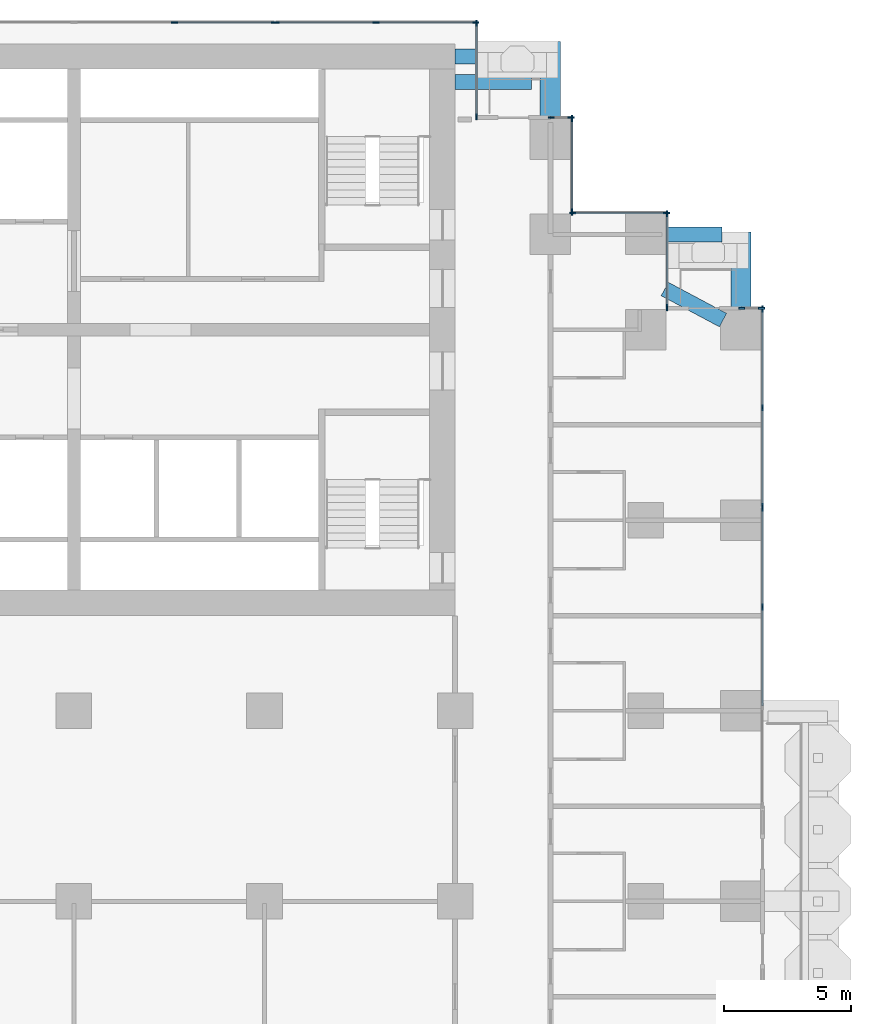
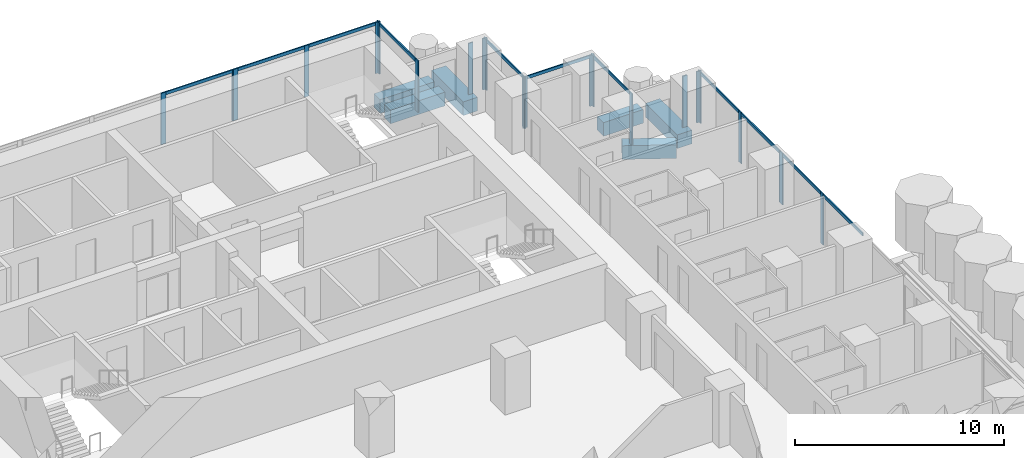
# One storey, part 5 of 18: 33 members, 6 beams, 10 elements without a shape of their own.
"""IFC4 building model written with IfcOpenShell, lengths in metres."""

import ifcopenshell
import ifcopenshell.guid

model = None  # the IFC model being written
_history = None  # IfcOwnerHistory: only IFC2X3 demands one
_inside = {}  # id of a spatial element -> (the spatial element, [elements in it])
_under = {}  # id of a project, library or spatial element -> (it, [spatial elements below it])
_declared = {}  # id of a project -> (the project, [libraries it declares])
_typed = {}  # id of a type object -> (the type object, [elements of that type])
_made_of = {}  # id of a material, layer set ... -> (it, [elements and type objects made of it])


def new_model(schema):
    """Start an empty IFC model of exactly this schema.

    Asked for "IFC4X3", IfcOpenShell would pick the latest addendum, in which some entities
    have other attributes; the version numbers below select the first issue.
    IFC2X3 requires an IfcOwnerHistory on every rooted entity: one is made here for all.
    """
    global model, _history
    if schema == "IFC4X3":
        model = ifcopenshell.file(schema_version=(4, 3, 0, 0))
    else:
        model = ifcopenshell.file(schema=schema)
    _inside.clear()
    _under.clear()
    _declared.clear()
    _typed.clear()
    _made_of.clear()
    _history = None
    if model.schema == "IFC2X3":
        org = make("IfcOrganization", Name="unknown")
        user = make(
            "IfcPersonAndOrganization",
            ThePerson=make("IfcPerson", FamilyName="unknown"),
            TheOrganization=org,
        )
        app = make(
            "IfcApplication",
            ApplicationDeveloper=org,
            Version="unknown",
            ApplicationFullName="unknown",
            ApplicationIdentifier="unknown",
        )
        _history = make(
            "IfcOwnerHistory",
            OwningUser=user,
            OwningApplication=app,
            ChangeAction="ADDED",
            CreationDate=0,
        )
    return model


def make(cls, **values):
    """One entity of the class cls with the attributes given. An attribute that is None is left unset."""
    return model.create_entity(
        cls, **{name: value for name, value in values.items() if value is not None}
    )


def rooted(cls, **values):
    """An entity with a GlobalId (a new one), such as an element, a storey or a relation."""
    return make(cls, GlobalId=ifcopenshell.guid.new(), OwnerHistory=_history, **values)


def si_unit(unit_type, name, prefix=None):
    """IfcSIUnit, for example si_unit("LENGTHUNIT", "METRE", prefix="MILLI")."""
    return make("IfcSIUnit", UnitType=unit_type, Prefix=prefix, Name=name)


def assignment(units):
    """IfcUnitAssignment: the units of a project."""
    return None if units is None else make("IfcUnitAssignment", Units=units)


def point(xyz):
    """IfcCartesianPoint."""
    return None if xyz is None else make("IfcCartesianPoint", Coordinates=xyz)


def direction(xyz):
    """IfcDirection."""
    return None if xyz is None else make("IfcDirection", DirectionRatios=xyz)


def frame(location, z_axis=None, x_axis=None):
    """IfcAxis2Placement3D, a coordinate frame: its origin and axes. An axis left out is left unset."""
    return make(
        "IfcAxis2Placement3D",
        Location=point(location),
        Axis=direction(z_axis),
        RefDirection=direction(x_axis),
    )


def frame_2d(location, x_axis=None):
    """IfcAxis2Placement2D, a coordinate frame in the plane: its origin and x axis."""
    return make(
        "IfcAxis2Placement2D", Location=point(location), RefDirection=direction(x_axis)
    )


def origin():
    """The frame at (0, 0, 0) with its axes left unset."""
    return frame((0.0, 0.0, 0.0))


def origin_2d():
    """The frame at (0, 0) in the plane with its x axis left unset."""
    return frame_2d((0.0, 0.0))


def place(relative_to, where):
    """IfcLocalPlacement: puts the frame where relative to a parent placement (None: the world)."""
    return make(
        "IfcLocalPlacement", PlacementRelTo=relative_to, RelativePlacement=where
    )


def context(
    kind, dimensions, precision=None, world=None, true_north=None, identifier=None
):
    """IfcGeometricRepresentationContext, for example the 3D "Model" context."""
    return make(
        "IfcGeometricRepresentationContext",
        ContextIdentifier=identifier,
        ContextType=kind,
        CoordinateSpaceDimension=dimensions,
        Precision=precision,
        WorldCoordinateSystem=world,
        TrueNorth=true_north,
    )


def subcontext(parent, identifier, kind, view, scale=None):
    """IfcGeometricRepresentationSubContext, for example "Body" below "Model"."""
    return make(
        "IfcGeometricRepresentationSubContext",
        ContextIdentifier=identifier,
        ContextType=kind,
        ParentContext=parent,
        TargetScale=scale,
        TargetView=view,
    )


def project(units=None, contexts=None):
    """IfcProject with its units and contexts."""
    return rooted(
        "IfcProject",
        Name="project",
        RepresentationContexts=contexts,
        UnitsInContext=assignment(units),
    )


def spatial(cls, under=None, at=None, **own):
    """A site, building, storey or space (cls), placed at a placement, below another one or the project."""
    s = rooted(cls, ObjectPlacement=at, **own)
    if under is not None:
        _under.setdefault(under.id(), (under, []))[1].append(s)
    return s


def profile(cls, at=None, kind="AREA", **sizes):
    """A parametric profile (cls). Its sizes go by their IFC names, for example OverallWidth=200.0."""
    return make(cls, ProfileType=kind, Position=at, **sizes)


def rectangle(**sizes):
    """IfcRectangleProfileDef."""
    return profile("IfcRectangleProfileDef", **sizes)


def extrude(swept, where, along, depth):
    """IfcExtrudedAreaSolid: the profile swept, set in the frame where, extruded along a direction by depth."""
    return make(
        "IfcExtrudedAreaSolid",
        SweptArea=swept,
        Position=where,
        ExtrudedDirection=direction(along),
        Depth=depth,
    )


def shape(context_of_items, identifier, shape_type, items):
    """IfcShapeRepresentation: the items that make up one representation, for example the "Body"."""
    return make(
        "IfcShapeRepresentation",
        ContextOfItems=context_of_items,
        RepresentationIdentifier=identifier,
        RepresentationType=shape_type,
        Items=items,
    )


def material(Name=None, Category=None):
    """IfcMaterial."""
    return make("IfcMaterial", Name=Name, Category=Category)


def material_profile(
    of_material, cross_section, Name=None, Category=None, Priority=None
):
    """IfcMaterialProfile: a cross section and its material."""
    return make(
        "IfcMaterialProfile",
        Name=Name,
        Material=of_material,
        Profile=cross_section,
        Priority=Priority,
        Category=Category,
    )


def profile_set(profiles, Name=None, composite=None):
    """IfcMaterialProfileSet."""
    return make(
        "IfcMaterialProfileSet",
        Name=Name,
        MaterialProfiles=profiles,
        CompositeProfile=composite,
    )


def made_of(thing, what):
    """Note that an element or type object is made of a material, layer set ...; save() writes the relation."""
    if what is not None:
        _made_of.setdefault(what.id(), (what, []))[1].append(thing)
    return thing


def type_object(cls, material=None, **own):
    """A type object (cls), such as IfcWallType, which elements share."""
    return made_of(rooted(cls, **own), material)


def element(
    cls,
    number,
    at=None,
    inside=None,
    cuts=None,
    type_object=None,
    material=None,
    context=None,
    identifier="Body",
    shape_type=None,
    held_by="IfcProductDefinitionShape",
    body=None,
    shapes=None,
    **own,
):
    """One element of the class cls, such as IfcWall. Its Tag is "e" and its number.

    at: its placement. inside: the storey or other place that contains it. cuts: it is an
    opening in that element (IfcRelVoidsElement). A single representation is given by context,
    identifier, shape_type and body (its items); several are given by shapes. held_by: the class
    of the entity that holds the representations. save() writes the other relations.
    """
    e = rooted(cls, Tag="e%d" % number, ObjectPlacement=at, **own)
    if body is not None:
        shapes = [shape(context, identifier, shape_type, body)]
    if shapes is not None:
        e.Representation = make(held_by, Representations=shapes)
    if inside is not None:
        _inside.setdefault(inside.id(), (inside, []))[1].append(e)
    if cuts is not None:
        rooted(
            "IfcRelVoidsElement", RelatingBuildingElement=cuts, RelatedOpeningElement=e
        )
    if type_object is not None:
        _typed.setdefault(type_object.id(), (type_object, []))[1].append(e)
    return made_of(e, material)


def aggregate(whole, parts):
    """IfcRelAggregates: a whole, such as a stair, and the parts it consists of."""
    return rooted("IfcRelAggregates", RelatingObject=whole, RelatedObjects=parts)


def save(model, path):
    """Write the relations noted so far, then the file.

    IfcRelAggregates (storeys below a building ...), IfcRelContainedInSpatialStructure (elements
    in a storey), IfcRelDefinesByType, IfcRelAssociatesMaterial and IfcRelDeclares: one each for
    every whole, place, type object, material and project.
    """
    for whole, parts in _under.values():
        aggregate(whole, parts)
    for where, things in _inside.values():
        rooted(
            "IfcRelContainedInSpatialStructure",
            RelatedElements=things,
            RelatingStructure=where,
        )
    for kind, things in _typed.values():
        rooted("IfcRelDefinesByType", RelatedObjects=things, RelatingType=kind)
    for what, things in _made_of.values():
        rooted("IfcRelAssociatesMaterial", RelatedObjects=things, RelatingMaterial=what)
    for by, libraries in _declared.values():
        rooted("IfcRelDeclares", RelatingContext=by, RelatedDefinitions=libraries)
    model.write(path)


model = new_model("IFC4")

# Units and contexts
model_context = context("Model", 3, precision=1e-05, world=origin(), true_north=direction((0.0, 1.0)))
body_context = subcontext(model_context, "Body", "Model", "MODEL_VIEW")
ifc_project = project(units=[si_unit("LENGTHUNIT", "METRE"), si_unit("AREAUNIT", "SQUARE_METRE"), si_unit("VOLUMEUNIT", "CUBIC_METRE"), si_unit("PLANEANGLEUNIT", "RADIAN"), si_unit("MASSUNIT", "GRAM", prefix="KILO")], contexts=[model_context])

# Site, building, storey
site_placement = place(None, origin())
site = spatial("IfcSite", under=ifc_project, at=site_placement, CompositionType="ELEMENT")
building_placement = place(site_placement, origin())
building = spatial("IfcBuilding", under=site, at=building_placement, Name="Pilkhan Gate Tower", CompositionType="ELEMENT")
storey_placement = place(building_placement, frame((0.0, 0.0, 42.800048828125)))
storey = spatial("IfcBuildingStorey", under=building, at=storey_placement, Name="L07", CompositionType="ELEMENT", Elevation=42.800048828125)

# Beams
ifc_material_1 = material(Name="Concrete C50/60", Category="concrete")
ifc_material_profile_1 = material_profile(ifc_material_1, rectangle(XDim=0.60009765625, YDim=0.800048828125, at=origin_2d()), Name="RC 600x800")
ifc_profile_set_1 = profile_set([ifc_material_profile_1], Name="Concrete C50/60")
beam_type_1 = type_object("IfcBeamType", Name="Cantilever beam CB1 RC 600x800 C50/60", PredefinedType="BEAM", material=ifc_profile_set_1)
for number, where, z_axis, x_axis, name in (
    (1, (90.0, 93.25, -0.699951171875), (1.0, 0.0, 0.0), (0.0, 1.0, 0.0), "Balcony beam NE.2 L07"),
    (2, (90.0, 92.25, -0.699951171875), (1.0, 0.0, 0.0), (0.0, 1.0, 0.0), "Balcony beam NE.3 L07"),
):
    element("IfcBeam", number, at=place(storey_placement, frame(where, z_axis=z_axis, x_axis=x_axis)), inside=storey, type_object=beam_type_1, Name=name, PredefinedType="BEAM", context=body_context, shape_type="SweptSolid", body=[
        extrude(rectangle(XDim=0.60009765625, YDim=0.800048828125, at=origin_2d()), origin(), (0.0, 0.0, 1.0), 3.0),
    ])
beam_1_placement = place(storey_placement, frame((98.300048828125, 86.25, -0.699951171875), z_axis=(1.0, 0.0, 0.0), x_axis=(0.0, 1.0, 0.0)))
element("IfcBeam", 3, at=beam_1_placement, inside=storey, type_object=beam_type_1, Name="Balcony beam NE2.2 L07", PredefinedType="BEAM", context=body_context, shape_type="SweptSolid", body=[
    extrude(rectangle(XDim=0.60009765625, YDim=0.800048828125, at=origin_2d()), origin(), (0.0, 0.0, 1.0), 2.199951171875),
])
beam_2_placement = place(storey_placement, frame((100.544189453125, 82.87646484375, -0.699951171875), z_axis=(-0.882342544151, 0.470607729199, 0.0), x_axis=(-0.470607729199, -0.882342544151, 0.0)))
element("IfcBeam", 4, at=beam_2_placement, inside=storey, type_object=beam_type_1, Name="Balcony beam NE2.3 L07", PredefinedType="BEAM", context=body_context, shape_type="SweptSolid", body=[
    extrude(rectangle(XDim=0.60009765625, YDim=0.800048828125, at=origin_2d()), origin(), (0.0, 0.0, 1.0), 2.60009765625),
])
ifc_material_profile_2 = material_profile(ifc_material_1, rectangle(XDim=0.800048828125, YDim=0.800048828125, at=origin_2d()), Name="RC 800x800")
ifc_profile_set_2 = profile_set([ifc_material_profile_2], Name="Concrete C50/60")
beam_type_2 = type_object("IfcBeamType", Name="Cantilever beam CB2 RC 800x800 C50/60", PredefinedType="BEAM", material=ifc_profile_set_2)
for number, where, z_axis, x_axis, name in (
    (5, (93.75, 90.800048828125, -0.699951171875), (0.0, 1.0, 0.0), (-1.0, 0.0, 0.0), "Balcony beam NE.1 L07"),
    (6, (101.25, 83.300048828125, -0.699951171875), (0.0, 1.0, 0.0), (-1.0, 0.0, 0.0), "Balcony beam NE2.1 L07"),
):
    element("IfcBeam", number, at=place(storey_placement, frame(where, z_axis=z_axis, x_axis=x_axis)), inside=storey, type_object=beam_type_2, Name=name, PredefinedType="BEAM", context=body_context, shape_type="SweptSolid", body=[
        extrude(rectangle(XDim=0.800048828125, YDim=0.800048828125, at=origin_2d()), origin(), (0.0, 0.0, 1.0), 3.050048828125),
    ])

# Curtain wall, members
ifc_material_2 = material(Name="Pale anodised aluminium, clear low-iron double glazing", Category="aluminium")
curtain_wall_type = type_object("IfcCurtainWallType", Name="Hotel unitised curtain wall CW-H", PredefinedType="USERDEFINED", material=ifc_material_2)
curtain_wall_1_placement = place(storey_placement, origin())
curtain_wall_1 = element("IfcCurtainWall", 7, at=curtain_wall_1_placement, inside=storey, type_object=curtain_wall_type, Name="Hotel unitised curtain wall CW-H L07 E", ObjectType="UNITISED CURTAIN WALL", PredefinedType="USERDEFINED")
ifc_material_3 = material(Name="Pale anodised aluminium", Category="aluminium")
ifc_material_profile_3 = material_profile(ifc_material_3, rectangle(XDim=0.06494140625, YDim=0.25, at=origin_2d()), Name="Mullion 250x65")
ifc_profile_set_3 = profile_set([ifc_material_profile_3], Name="Pale anodised aluminium")
member_type_1 = type_object("IfcMemberType", Name="Mullion CW-H 250x65", PredefinedType="MULLION", material=ifc_profile_set_3)
member_1_placement = place(storey_placement, frame((102.094970703125, 71.587890625, 0.0), z_axis=(0.0, 0.0, 1.0), x_axis=(-1.0, 0.0, 0.0)))
member_1 = element("IfcMember", 8, at=member_1_placement, type_object=member_type_1, Name="CW-H mullion 3", PredefinedType="MULLION", context=body_context, shape_type="SweptSolid", body=[
    extrude(rectangle(XDim=0.06494140625, YDim=0.25, at=origin_2d()), origin(), (0.0, 0.0, 1.0), 3.0),
])
member_2_placement = place(storey_placement, frame((102.094970703125, 75.474609375, 0.0), z_axis=(0.0, 0.0, 1.0), x_axis=(-1.0, 0.0, 0.0)))
member_2 = element("IfcMember", 9, at=member_2_placement, type_object=member_type_1, Name="CW-H mullion 4", PredefinedType="MULLION", context=body_context, shape_type="SweptSolid", body=[
    extrude(rectangle(XDim=0.06494140625, YDim=0.25, at=origin_2d()), origin(), (0.0, 0.0, 1.0), 3.0),
])

curtain_wall_2_placement = place(storey_placement, origin())
curtain_wall_2 = element("IfcCurtainWall", 10, at=curtain_wall_2_placement, inside=storey, type_object=curtain_wall_type, Name="Hotel unitised curtain wall CW-H L07 E", ObjectType="UNITISED CURTAIN WALL", PredefinedType="USERDEFINED")
member_3_placement = place(storey_placement, frame((102.094970703125, 75.53955078125, 0.0), z_axis=(0.0, 0.0, 1.0), x_axis=(-1.0, 0.0, 0.0)))
member_3 = element("IfcMember", 11, at=member_3_placement, type_object=member_type_1, Name="CW-H mullion 1", PredefinedType="MULLION", context=body_context, shape_type="SweptSolid", body=[
    extrude(rectangle(XDim=0.06494140625, YDim=0.25, at=origin_2d()), origin(), (0.0, 0.0, 1.0), 3.0),
])
member_4_placement = place(storey_placement, frame((102.094970703125, 79.426025390625, 0.0), z_axis=(0.0, 0.0, 1.0), x_axis=(-1.0, 0.0, 0.0)))
member_4 = element("IfcMember", 12, at=member_4_placement, type_object=member_type_1, Name="CW-H mullion 2", PredefinedType="MULLION", context=body_context, shape_type="SweptSolid", body=[
    extrude(rectangle(XDim=0.06494140625, YDim=0.25, at=origin_2d()), origin(), (0.0, 0.0, 1.0), 3.0),
])
member_5_placement = place(storey_placement, frame((102.094970703125, 83.3125, 0.0), z_axis=(0.0, 0.0, 1.0), x_axis=(-1.0, 0.0, 0.0)))
member_5 = element("IfcMember", 13, at=member_5_placement, type_object=member_type_1, Name="CW-H mullion 3", PredefinedType="MULLION", context=body_context, shape_type="SweptSolid", body=[
    extrude(rectangle(XDim=0.06494140625, YDim=0.25, at=origin_2d()), origin(), (0.0, 0.0, 1.0), 3.0),
])

curtain_wall_3_placement = place(storey_placement, origin())
curtain_wall_3 = element("IfcCurtainWall", 14, at=curtain_wall_3_placement, inside=storey, type_object=curtain_wall_type, Name="Hotel unitised curtain wall CW-H L07 N", ObjectType="UNITISED CURTAIN WALL", PredefinedType="USERDEFINED")
member_6_placement = place(storey_placement, frame((101.282470703125, 83.344970703125, 0.0), z_axis=(0.0, 0.0, 1.0), x_axis=(0.0, 1.0, 0.0)))
member_6 = element("IfcMember", 15, at=member_6_placement, type_object=member_type_1, Name="CW-H mullion 1", PredefinedType="MULLION", context=body_context, shape_type="SweptSolid", body=[
    extrude(rectangle(XDim=0.06494140625, YDim=0.25, at=origin_2d()), origin(), (0.0, 0.0, 1.0), 3.0),
])
member_7_placement = place(storey_placement, frame((102.0625, 83.344970703125, 0.0), z_axis=(0.0, 0.0, 1.0), x_axis=(0.0, 1.0, 0.0)))
member_7 = element("IfcMember", 16, at=member_7_placement, type_object=member_type_1, Name="CW-H mullion 2", PredefinedType="MULLION", context=body_context, shape_type="SweptSolid", body=[
    extrude(rectangle(XDim=0.06494140625, YDim=0.25, at=origin_2d()), origin(), (0.0, 0.0, 1.0), 3.0),
])
aggregate(curtain_wall_3, [member_6, member_7])

curtain_wall_4_placement = place(storey_placement, origin())
curtain_wall_4 = element("IfcCurtainWall", 17, at=curtain_wall_4_placement, inside=storey, type_object=curtain_wall_type, Name="Hotel unitised curtain wall CW-H L07 E", ObjectType="UNITISED CURTAIN WALL", PredefinedType="USERDEFINED")
member_8_placement = place(storey_placement, frame((98.344970703125, 83.37744140625, 0.0), z_axis=(0.0, 0.0, 1.0), x_axis=(-1.0, 0.0, 0.0)))
member_8 = element("IfcMember", 18, at=member_8_placement, type_object=member_type_1, Name="CW-H mullion 1", PredefinedType="MULLION", context=body_context, shape_type="SweptSolid", body=[
    extrude(rectangle(XDim=0.06494140625, YDim=0.25, at=origin_2d()), origin(), (0.0, 0.0, 1.0), 3.0),
])
member_9_placement = place(storey_placement, frame((98.344970703125, 87.0625, 0.0), z_axis=(0.0, 0.0, 1.0), x_axis=(-1.0, 0.0, 0.0)))
member_9 = element("IfcMember", 19, at=member_9_placement, type_object=member_type_1, Name="CW-H mullion 2", PredefinedType="MULLION", context=body_context, shape_type="SweptSolid", body=[
    extrude(rectangle(XDim=0.06494140625, YDim=0.25, at=origin_2d()), origin(), (0.0, 0.0, 1.0), 3.0),
])

curtain_wall_5_placement = place(storey_placement, origin())
curtain_wall_5 = element("IfcCurtainWall", 20, at=curtain_wall_5_placement, inside=storey, type_object=curtain_wall_type, Name="Hotel unitised curtain wall CW-H L07 N", ObjectType="UNITISED CURTAIN WALL", PredefinedType="USERDEFINED")
member_10_placement = place(storey_placement, frame((94.62744140625, 87.094970703125, 0.0), z_axis=(0.0, 0.0, 1.0), x_axis=(0.0, 1.0, 0.0)))
member_10 = element("IfcMember", 21, at=member_10_placement, type_object=member_type_1, Name="CW-H mullion 1", PredefinedType="MULLION", context=body_context, shape_type="SweptSolid", body=[
    extrude(rectangle(XDim=0.06494140625, YDim=0.25, at=origin_2d()), origin(), (0.0, 0.0, 1.0), 3.0),
])
member_11_placement = place(storey_placement, frame((98.3125, 87.094970703125, 0.0), z_axis=(0.0, 0.0, 1.0), x_axis=(0.0, 1.0, 0.0)))
member_11 = element("IfcMember", 22, at=member_11_placement, type_object=member_type_1, Name="CW-H mullion 2", PredefinedType="MULLION", context=body_context, shape_type="SweptSolid", body=[
    extrude(rectangle(XDim=0.06494140625, YDim=0.25, at=origin_2d()), origin(), (0.0, 0.0, 1.0), 3.0),
])

curtain_wall_6_placement = place(storey_placement, origin())
curtain_wall_6 = element("IfcCurtainWall", 23, at=curtain_wall_6_placement, inside=storey, type_object=curtain_wall_type, Name="Hotel unitised curtain wall CW-H L07 E", ObjectType="UNITISED CURTAIN WALL", PredefinedType="USERDEFINED")
member_12_placement = place(storey_placement, frame((94.594970703125, 87.12744140625, 0.0), z_axis=(0.0, 0.0, 1.0), x_axis=(-1.0, 0.0, 0.0)))
member_12 = element("IfcMember", 24, at=member_12_placement, type_object=member_type_1, Name="CW-H mullion 1", PredefinedType="MULLION", context=body_context, shape_type="SweptSolid", body=[
    extrude(rectangle(XDim=0.06494140625, YDim=0.25, at=origin_2d()), origin(), (0.0, 0.0, 1.0), 3.0),
])
member_13_placement = place(storey_placement, frame((94.594970703125, 90.8125, 0.0), z_axis=(0.0, 0.0, 1.0), x_axis=(-1.0, 0.0, 0.0)))
member_13 = element("IfcMember", 25, at=member_13_placement, type_object=member_type_1, Name="CW-H mullion 2", PredefinedType="MULLION", context=body_context, shape_type="SweptSolid", body=[
    extrude(rectangle(XDim=0.06494140625, YDim=0.25, at=origin_2d()), origin(), (0.0, 0.0, 1.0), 3.0),
])

curtain_wall_7_placement = place(storey_placement, origin())
curtain_wall_7 = element("IfcCurtainWall", 26, at=curtain_wall_7_placement, inside=storey, type_object=curtain_wall_type, Name="Hotel unitised curtain wall CW-H L07 N", ObjectType="UNITISED CURTAIN WALL", PredefinedType="USERDEFINED")
member_14_placement = place(storey_placement, frame((93.782470703125, 90.844970703125, 0.0), z_axis=(0.0, 0.0, 1.0), x_axis=(0.0, 1.0, 0.0)))
member_14 = element("IfcMember", 27, at=member_14_placement, type_object=member_type_1, Name="CW-H mullion 1", PredefinedType="MULLION", context=body_context, shape_type="SweptSolid", body=[
    extrude(rectangle(XDim=0.06494140625, YDim=0.25, at=origin_2d()), origin(), (0.0, 0.0, 1.0), 3.0),
])
member_15_placement = place(storey_placement, frame((94.5625, 90.844970703125, 0.0), z_axis=(0.0, 0.0, 1.0), x_axis=(0.0, 1.0, 0.0)))
member_15 = element("IfcMember", 28, at=member_15_placement, type_object=member_type_1, Name="CW-H mullion 2", PredefinedType="MULLION", context=body_context, shape_type="SweptSolid", body=[
    extrude(rectangle(XDim=0.06494140625, YDim=0.25, at=origin_2d()), origin(), (0.0, 0.0, 1.0), 3.0),
])
aggregate(curtain_wall_7, [member_14, member_15])

curtain_wall_8_placement = place(storey_placement, origin())
curtain_wall_8 = element("IfcCurtainWall", 29, at=curtain_wall_8_placement, inside=storey, type_object=curtain_wall_type, Name="Hotel unitised curtain wall CW-H L07 E", ObjectType="UNITISED CURTAIN WALL", PredefinedType="USERDEFINED")
member_16_placement = place(storey_placement, frame((90.844970703125, 90.87744140625, 0.0), z_axis=(0.0, 0.0, 1.0), x_axis=(-1.0, 0.0, 0.0)))
member_16 = element("IfcMember", 30, at=member_16_placement, type_object=member_type_1, Name="CW-H mullion 1", PredefinedType="MULLION", context=body_context, shape_type="SweptSolid", body=[
    extrude(rectangle(XDim=0.06494140625, YDim=0.25, at=origin_2d()), origin(), (0.0, 0.0, 1.0), 3.0),
])
member_17_placement = place(storey_placement, frame((90.844970703125, 94.5625, 0.0), z_axis=(0.0, 0.0, 1.0), x_axis=(-1.0, 0.0, 0.0)))
member_17 = element("IfcMember", 31, at=member_17_placement, type_object=member_type_1, Name="CW-H mullion 2", PredefinedType="MULLION", context=body_context, shape_type="SweptSolid", body=[
    extrude(rectangle(XDim=0.06494140625, YDim=0.25, at=origin_2d()), origin(), (0.0, 0.0, 1.0), 3.0),
])

curtain_wall_9_placement = place(storey_placement, origin())
curtain_wall_9 = element("IfcCurtainWall", 32, at=curtain_wall_9_placement, inside=storey, type_object=curtain_wall_type, Name="Hotel unitised curtain wall CW-H L07 N", ObjectType="UNITISED CURTAIN WALL", PredefinedType="USERDEFINED")
member_18_placement = place(storey_placement, frame((78.961181640625, 94.594970703125, 0.0), z_axis=(0.0, 0.0, 1.0), x_axis=(0.0, 1.0, 0.0)))
member_18 = element("IfcMember", 33, at=member_18_placement, type_object=member_type_1, Name="CW-H mullion 3", PredefinedType="MULLION", context=body_context, shape_type="SweptSolid", body=[
    extrude(rectangle(XDim=0.06494140625, YDim=0.25, at=origin_2d()), origin(), (0.0, 0.0, 1.0), 3.0),
])
member_19_placement = place(storey_placement, frame((82.889892578125, 94.594970703125, 0.0), z_axis=(0.0, 0.0, 1.0), x_axis=(0.0, 1.0, 0.0)))
member_19 = element("IfcMember", 34, at=member_19_placement, type_object=member_type_1, Name="CW-H mullion 4", PredefinedType="MULLION", context=body_context, shape_type="SweptSolid", body=[
    extrude(rectangle(XDim=0.06494140625, YDim=0.25, at=origin_2d()), origin(), (0.0, 0.0, 1.0), 3.0),
])

curtain_wall_10_placement = place(storey_placement, origin())
curtain_wall_10 = element("IfcCurtainWall", 35, at=curtain_wall_10_placement, inside=storey, type_object=curtain_wall_type, Name="Hotel unitised curtain wall CW-H L07 N", ObjectType="UNITISED CURTAIN WALL", PredefinedType="USERDEFINED")
member_20_placement = place(storey_placement, frame((82.955078125, 94.594970703125, 0.0), z_axis=(0.0, 0.0, 1.0), x_axis=(0.0, 1.0, 0.0)))
member_20 = element("IfcMember", 36, at=member_20_placement, type_object=member_type_1, Name="CW-H mullion 1", PredefinedType="MULLION", context=body_context, shape_type="SweptSolid", body=[
    extrude(rectangle(XDim=0.06494140625, YDim=0.25, at=origin_2d()), origin(), (0.0, 0.0, 1.0), 3.0),
])
member_21_placement = place(storey_placement, frame((86.8837890625, 94.594970703125, 0.0), z_axis=(0.0, 0.0, 1.0), x_axis=(0.0, 1.0, 0.0)))
member_21 = element("IfcMember", 37, at=member_21_placement, type_object=member_type_1, Name="CW-H mullion 2", PredefinedType="MULLION", context=body_context, shape_type="SweptSolid", body=[
    extrude(rectangle(XDim=0.06494140625, YDim=0.25, at=origin_2d()), origin(), (0.0, 0.0, 1.0), 3.0),
])
member_22_placement = place(storey_placement, frame((90.8125, 94.594970703125, 0.0), z_axis=(0.0, 0.0, 1.0), x_axis=(0.0, 1.0, 0.0)))
member_22 = element("IfcMember", 38, at=member_22_placement, type_object=member_type_1, Name="CW-H mullion 3", PredefinedType="MULLION", context=body_context, shape_type="SweptSolid", body=[
    extrude(rectangle(XDim=0.06494140625, YDim=0.25, at=origin_2d()), origin(), (0.0, 0.0, 1.0), 3.0),
])

# Member
ifc_material_profile_4 = material_profile(ifc_material_3, rectangle(XDim=0.06494140625, YDim=0.179931640625, at=origin_2d()), Name="Transom 180x65")
ifc_profile_set_4 = profile_set([ifc_material_profile_4], Name="Pale anodised aluminium")
member_type_2 = type_object("IfcMemberType", Name="Transom CW-H 180x65", PredefinedType="USERDEFINED", material=ifc_profile_set_4)
member_23_placement = place(storey_placement, frame((102.094970703125, 67.701416015625, 2.909912109375), z_axis=(0.0, 1.0, 0.0), x_axis=(-1.0, 0.0, 0.0)))
member_23 = element("IfcMember", 39, at=member_23_placement, type_object=member_type_2, Name="CW-H transom 2", ObjectType="TRANSOM", PredefinedType="USERDEFINED", context=body_context, shape_type="SweptSolid", body=[
    extrude(rectangle(XDim=0.06494140625, YDim=0.179931640625, at=origin_2d()), origin(), (0.0, 0.0, 1.0), 3.85400390625),
])

member_24_placement = place(storey_placement, frame((102.094970703125, 71.62060546875, 2.909912109375), z_axis=(0.0, 1.0, 0.0), x_axis=(-1.0, 0.0, 0.0)))
member_24 = element("IfcMember", 40, at=member_24_placement, type_object=member_type_2, Name="CW-H transom 3", ObjectType="TRANSOM", PredefinedType="USERDEFINED", context=body_context, shape_type="SweptSolid", body=[
    extrude(rectangle(XDim=0.06494140625, YDim=0.179931640625, at=origin_2d()), origin(), (0.0, 0.0, 1.0), 3.8212890625),
])

aggregate(curtain_wall_1, [member_1, member_2, member_23, member_24])

member_25_placement = place(storey_placement, frame((102.094970703125, 75.572021484375, 2.909912109375), z_axis=(0.0, 1.0, 0.0), x_axis=(-1.0, 0.0, 0.0)))
member_25 = element("IfcMember", 41, at=member_25_placement, type_object=member_type_2, Name="CW-H transom 1", ObjectType="TRANSOM", PredefinedType="USERDEFINED", context=body_context, shape_type="SweptSolid", body=[
    extrude(rectangle(XDim=0.06494140625, YDim=0.179931640625, at=origin_2d()), origin(), (0.0, 0.0, 1.0), 3.821533203125),
])

member_26_placement = place(storey_placement, frame((102.094970703125, 79.45849609375, 2.909912109375), z_axis=(0.0, 1.0, 0.0), x_axis=(-1.0, 0.0, 0.0)))
member_26 = element("IfcMember", 42, at=member_26_placement, type_object=member_type_2, Name="CW-H transom 2", ObjectType="TRANSOM", PredefinedType="USERDEFINED", context=body_context, shape_type="SweptSolid", body=[
    extrude(rectangle(XDim=0.06494140625, YDim=0.179931640625, at=origin_2d()), origin(), (0.0, 0.0, 1.0), 3.821533203125),
])

aggregate(curtain_wall_2, [member_3, member_4, member_5, member_25, member_26])

member_27_placement = place(storey_placement, frame((98.344970703125, 83.409912109375, 2.909912109375), z_axis=(0.0, 1.0, 0.0), x_axis=(-1.0, 0.0, 0.0)))
member_27 = element("IfcMember", 43, at=member_27_placement, type_object=member_type_2, Name="CW-H transom 1", ObjectType="TRANSOM", PredefinedType="USERDEFINED", context=body_context, shape_type="SweptSolid", body=[
    extrude(rectangle(XDim=0.06494140625, YDim=0.179931640625, at=origin_2d()), origin(), (0.0, 0.0, 1.0), 3.6201171875),
])

aggregate(curtain_wall_4, [member_8, member_9, member_27])

member_28_placement = place(storey_placement, frame((94.659912109375, 87.094970703125, 2.909912109375), z_axis=(1.0, 0.0, 0.0), x_axis=(0.0, 1.0, 0.0)))
member_28 = element("IfcMember", 44, at=member_28_placement, type_object=member_type_2, Name="CW-H transom 1", ObjectType="TRANSOM", PredefinedType="USERDEFINED", context=body_context, shape_type="SweptSolid", body=[
    extrude(rectangle(XDim=0.06494140625, YDim=0.179931640625, at=origin_2d()), origin(), (0.0, 0.0, 1.0), 3.6201171875),
])

aggregate(curtain_wall_5, [member_10, member_11, member_28])

member_29_placement = place(storey_placement, frame((94.594970703125, 87.159912109375, 2.909912109375), z_axis=(0.0, 1.0, 0.0), x_axis=(-1.0, 0.0, 0.0)))
member_29 = element("IfcMember", 45, at=member_29_placement, type_object=member_type_2, Name="CW-H transom 1", ObjectType="TRANSOM", PredefinedType="USERDEFINED", context=body_context, shape_type="SweptSolid", body=[
    extrude(rectangle(XDim=0.06494140625, YDim=0.179931640625, at=origin_2d()), origin(), (0.0, 0.0, 1.0), 3.6201171875),
])

aggregate(curtain_wall_6, [member_12, member_13, member_29])

member_30_placement = place(storey_placement, frame((90.844970703125, 90.909912109375, 2.909912109375), z_axis=(0.0, 1.0, 0.0), x_axis=(-1.0, 0.0, 0.0)))
member_30 = element("IfcMember", 46, at=member_30_placement, type_object=member_type_2, Name="CW-H transom 1", ObjectType="TRANSOM", PredefinedType="USERDEFINED", context=body_context, shape_type="SweptSolid", body=[
    extrude(rectangle(XDim=0.06494140625, YDim=0.179931640625, at=origin_2d()), origin(), (0.0, 0.0, 1.0), 3.6201171875),
])

aggregate(curtain_wall_8, [member_16, member_17, member_30])

member_31_placement = place(storey_placement, frame((78.99365234375, 94.594970703125, 2.909912109375), z_axis=(1.0, 0.0, 0.0), x_axis=(0.0, 1.0, 0.0)))
member_31 = element("IfcMember", 47, at=member_31_placement, type_object=member_type_2, Name="CW-H transom 3", ObjectType="TRANSOM", PredefinedType="USERDEFINED", context=body_context, shape_type="SweptSolid", body=[
    extrude(rectangle(XDim=0.06494140625, YDim=0.179931640625, at=origin_2d()), origin(), (0.0, 0.0, 1.0), 3.86376953125),
])

aggregate(curtain_wall_9, [member_18, member_19, member_31])

member_32_placement = place(storey_placement, frame((82.987548828125, 94.594970703125, 2.909912109375), z_axis=(1.0, 0.0, 0.0), x_axis=(0.0, 1.0, 0.0)))
member_32 = element("IfcMember", 48, at=member_32_placement, type_object=member_type_2, Name="CW-H transom 1", ObjectType="TRANSOM", PredefinedType="USERDEFINED", context=body_context, shape_type="SweptSolid", body=[
    extrude(rectangle(XDim=0.06494140625, YDim=0.179931640625, at=origin_2d()), origin(), (0.0, 0.0, 1.0), 3.86376953125),
])

member_33_placement = place(storey_placement, frame((86.916259765625, 94.594970703125, 2.909912109375), z_axis=(1.0, 0.0, 0.0), x_axis=(0.0, 1.0, 0.0)))
member_33 = element("IfcMember", 49, at=member_33_placement, type_object=member_type_2, Name="CW-H transom 2", ObjectType="TRANSOM", PredefinedType="USERDEFINED", context=body_context, shape_type="SweptSolid", body=[
    extrude(rectangle(XDim=0.06494140625, YDim=0.179931640625, at=origin_2d()), origin(), (0.0, 0.0, 1.0), 3.86376953125),
])

aggregate(curtain_wall_10, [member_20, member_21, member_22, member_32, member_33])

save(model, "model.ifc")
